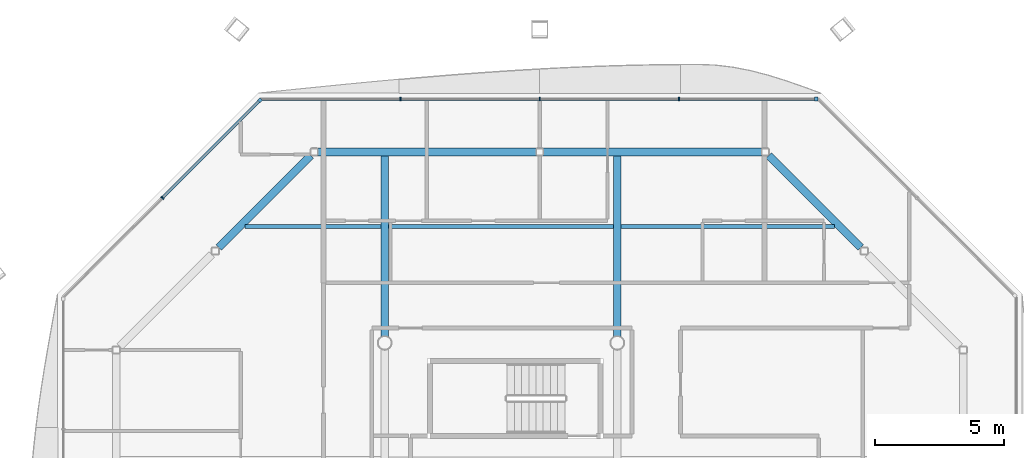
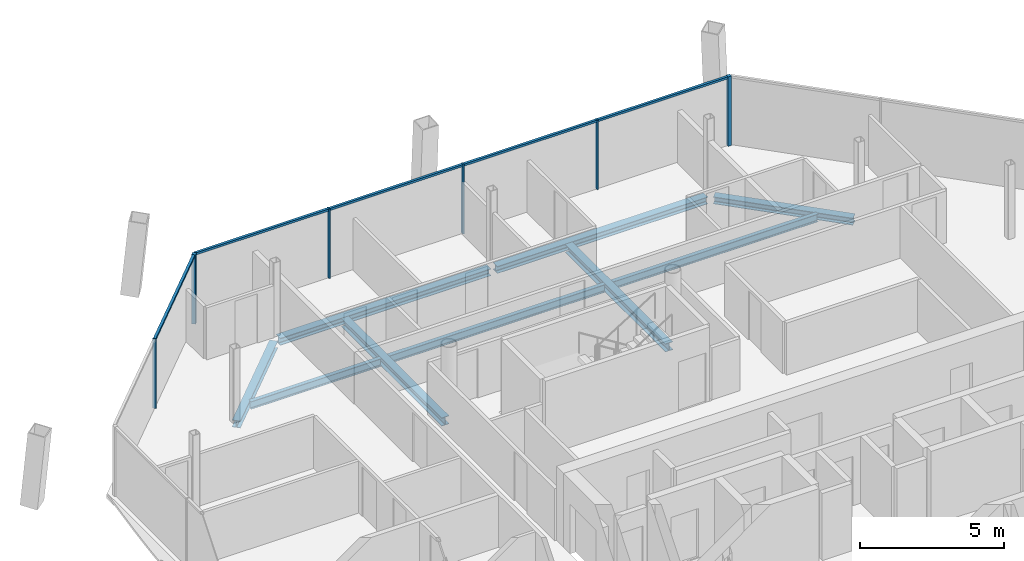
# One storey, part 9 of 17: 11 members, 9 beams, 2 elements without a shape of their own.
"""IFC4 building model written with IfcOpenShell, lengths in metres."""

from ifc_helpers import new_model, si_unit, direction, frame, origin, origin_2d, place, context, subcontext, project, spatial, rectangle, i_section, extrude, material, material_profile, profile_set, type_object, element, aggregate, save


model = new_model("IFC4")

# Units and contexts
model_context = context("Model", 3, precision=1e-05, world=origin(), true_north=direction((0.0, 1.0)))
body_context = subcontext(model_context, "Body", "Model", "MODEL_VIEW")
ifc_project = project(units=[si_unit("LENGTHUNIT", "METRE"), si_unit("AREAUNIT", "SQUARE_METRE"), si_unit("VOLUMEUNIT", "CUBIC_METRE"), si_unit("PLANEANGLEUNIT", "RADIAN"), si_unit("MASSUNIT", "GRAM", prefix="KILO")], contexts=[model_context])

# Site, building, storey
site_placement = place(None, origin())
site = spatial("IfcSite", under=ifc_project, at=site_placement, CompositionType="ELEMENT")
building_placement = place(site_placement, origin())
building = spatial("IfcBuilding", under=site, at=building_placement, Name="Tskaro Facet Tower", CompositionType="ELEMENT")
storey_placement = place(building_placement, frame((0.0, 0.0, 232.949951171875)))
storey = spatial("IfcBuildingStorey", under=building, at=storey_placement, Name="L60", CompositionType="ELEMENT", Elevation=232.949951171875)

# Curtain wall, member
ifc_material_1 = material(Name="Bronze anodised aluminium 6063-T6", Category="aluminium")
curtain_wall_type = type_object("IfcCurtainWallType", Name="Bronze residence curtain wall (FW3)", PredefinedType="NOTDEFINED", material=ifc_material_1)
curtain_wall_1_placement = place(storey_placement, origin())
curtain_wall_1 = element("IfcCurtainWall", 1, at=curtain_wall_1_placement, inside=storey, type_object=curtain_wall_type, Name="FW3 north facet L60", PredefinedType="NOTDEFINED")
ifc_material_profile_1 = material_profile(ifc_material_1, rectangle(XDim=0.139892578125, YDim=0.139892578125, at=origin_2d()), Name="Corner post 140x140")
ifc_profile_set_1 = profile_set([ifc_material_profile_1], Name="Bronze anodised aluminium 6063-T6")
member_type_1 = type_object("IfcMemberType", Name="FW3 bronze corner post 140x140", PredefinedType="MULLION", material=ifc_profile_set_1)
member_1_placement = place(storey_placement, frame((7.708984375, 18.43701171875, 0.0), z_axis=(0.0, 0.0, 1.0), x_axis=(-1.0, 0.0, 0.0)))
member_1 = element("IfcMember", 2, at=member_1_placement, type_object=member_type_1, Name="FW3 north corner post", PredefinedType="MULLION", context=body_context, shape_type="SweptSolid", body=[
    extrude(rectangle(XDim=0.139892578125, YDim=0.139892578125, at=origin_2d()), origin(), (0.0, 0.0, 1.0), 2.949951171875),
])

curtain_wall_2_placement = place(storey_placement, origin())
curtain_wall_2 = element("IfcCurtainWall", 3, at=curtain_wall_2_placement, inside=storey, type_object=curtain_wall_type, Name="FW3 north-west facet L60", PredefinedType="NOTDEFINED")
member_2_placement = place(storey_placement, frame((-13.82861328125, 18.387451171875, 0.0), z_axis=(0.0, 0.0, 1.0), x_axis=(-0.707106781187, -0.707106781187, 0.0)))
member_2 = element("IfcMember", 4, at=member_2_placement, type_object=member_type_1, Name="FW3 north-west corner post", PredefinedType="MULLION", context=body_context, shape_type="SweptSolid", body=[
    extrude(rectangle(XDim=0.139892578125, YDim=0.139892578125, at=origin_2d()), origin(), (0.0, 0.0, 1.0), 2.949951171875),
])

# Member
ifc_material_profile_2 = material_profile(ifc_material_1, rectangle(XDim=0.050048828125, YDim=0.139892578125, at=origin_2d()), Name="Mullion 50x140")
ifc_profile_set_2 = profile_set([ifc_material_profile_2], Name="Bronze anodised aluminium 6063-T6")
member_type_2 = type_object("IfcMemberType", Name="FW3 bronze mullion 50x140", PredefinedType="MULLION", material=ifc_profile_set_2)
member_3_placement = place(storey_placement, frame((2.389404296875, 18.43701171875, 0.0), z_axis=(0.0, 0.0, 1.0), x_axis=(-1.0, 0.0, 0.0)))
member_3 = element("IfcMember", 5, at=member_3_placement, type_object=member_type_2, Name="FW3 north mullion 1", PredefinedType="MULLION", context=body_context, shape_type="SweptSolid", body=[
    extrude(rectangle(XDim=0.050048828125, YDim=0.139892578125, at=origin_2d()), origin(), (0.0, 0.0, 1.0), 2.949951171875),
])

member_4_placement = place(storey_placement, frame((-3.0, 18.43701171875, 0.0), z_axis=(0.0, 0.0, 1.0), x_axis=(-1.0, 0.0, 0.0)))
member_4 = element("IfcMember", 6, at=member_4_placement, type_object=member_type_2, Name="FW3 north mullion 2", PredefinedType="MULLION", context=body_context, shape_type="SweptSolid", body=[
    extrude(rectangle(XDim=0.050048828125, YDim=0.139892578125, at=origin_2d()), origin(), (0.0, 0.0, 1.0), 2.949951171875),
])

member_5_placement = place(storey_placement, frame((-8.389404296875, 18.43701171875, 0.0), z_axis=(0.0, 0.0, 1.0), x_axis=(-1.0, 0.0, 0.0)))
member_5 = element("IfcMember", 7, at=member_5_placement, type_object=member_type_2, Name="FW3 north mullion 3", PredefinedType="MULLION", context=body_context, shape_type="SweptSolid", body=[
    extrude(rectangle(XDim=0.050048828125, YDim=0.139892578125, at=origin_2d()), origin(), (0.0, 0.0, 1.0), 2.949951171875),
])

member_6_placement = place(storey_placement, frame((-17.60791015625, 14.60791015625, 0.0), z_axis=(0.0, 0.0, 1.0), x_axis=(-0.707106781187, -0.707106781187, 0.0)))
member_6 = element("IfcMember", 8, at=member_6_placement, type_object=member_type_2, Name="FW3 north-west mullion 1", PredefinedType="MULLION", context=body_context, shape_type="SweptSolid", body=[
    extrude(rectangle(XDim=0.050048828125, YDim=0.139892578125, at=origin_2d()), origin(), (0.0, 0.0, 1.0), 2.949951171875),
])

ifc_material_profile_3 = material_profile(ifc_material_1, rectangle(XDim=0.10009765625, YDim=0.090087890625, at=origin_2d()), Name="Transom 100x90")
ifc_profile_set_3 = profile_set([ifc_material_profile_3], Name="Bronze anodised aluminium 6063-T6")
member_type_3 = type_object("IfcMemberType", Name="FW3 bronze transom 100x90", PredefinedType="USERDEFINED", material=ifc_profile_set_3)
member_7_placement = place(storey_placement, frame((7.638916015625, 18.43701171875, 2.905029296875), z_axis=(-1.0, 0.0, 0.0), x_axis=(0.0, -1.0, 0.0)))
member_7 = element("IfcMember", 9, at=member_7_placement, type_object=member_type_3, Name="FW3 north transom 1.1", ObjectType="TRANSOM", PredefinedType="USERDEFINED", context=body_context, shape_type="SweptSolid", body=[
    extrude(rectangle(XDim=0.10009765625, YDim=0.090087890625, at=origin_2d()), origin(), (0.0, 0.0, 1.0), 5.224365234375),
])

member_8_placement = place(storey_placement, frame((2.364501953125, 18.43701171875, 2.905029296875), z_axis=(-1.0, 0.0, 0.0), x_axis=(0.0, -1.0, 0.0)))
member_8 = element("IfcMember", 10, at=member_8_placement, type_object=member_type_3, Name="FW3 north transom 2.1", ObjectType="TRANSOM", PredefinedType="USERDEFINED", context=body_context, shape_type="SweptSolid", body=[
    extrude(rectangle(XDim=0.10009765625, YDim=0.090087890625, at=origin_2d()), origin(), (0.0, 0.0, 1.0), 5.339599609375),
])

member_9_placement = place(storey_placement, frame((-3.02490234375, 18.43701171875, 2.905029296875), z_axis=(-1.0, 0.0, 0.0), x_axis=(0.0, -1.0, 0.0)))
member_9 = element("IfcMember", 11, at=member_9_placement, type_object=member_type_3, Name="FW3 north transom 3.1", ObjectType="TRANSOM", PredefinedType="USERDEFINED", context=body_context, shape_type="SweptSolid", body=[
    extrude(rectangle(XDim=0.10009765625, YDim=0.090087890625, at=origin_2d()), origin(), (0.0, 0.0, 1.0), 5.339599609375),
])

member_10_placement = place(storey_placement, frame((-8.41455078125, 18.43701171875, 2.905029296875), z_axis=(-1.0, 0.0, 0.0), x_axis=(0.0, -1.0, 0.0)))
member_10 = element("IfcMember", 12, at=member_10_placement, type_object=member_type_3, Name="FW3 north transom 4.1", ObjectType="TRANSOM", PredefinedType="USERDEFINED", context=body_context, shape_type="SweptSolid", body=[
    extrude(rectangle(XDim=0.10009765625, YDim=0.090087890625, at=origin_2d()), origin(), (0.0, 0.0, 1.0), 5.364501953125),
])

aggregate(curtain_wall_1, [member_1, member_3, member_4, member_5, member_7, member_8, member_9, member_10])

member_11_placement = place(storey_placement, frame((-13.8779296875, 18.337890625, 2.905029296875), z_axis=(-0.707130032482, -0.707083529126, 0.0), x_axis=(0.707083529126, -0.707130032482, 0.0)))
member_11 = element("IfcMember", 13, at=member_11_placement, type_object=member_type_3, Name="FW3 north-west transom 1.1", ObjectType="TRANSOM", PredefinedType="USERDEFINED", context=body_context, shape_type="SweptSolid", body=[
    extrude(rectangle(XDim=0.10009765625, YDim=0.090087890625, at=origin_2d()), origin(), (0.0, 0.0, 1.0), 5.25),
])

aggregate(curtain_wall_2, [member_2, member_6, member_11])

# Beams
ifc_material_2 = material(Name="Steel S355J2", Category="steel")
ifc_material_profile_4 = material_profile(ifc_material_2, i_section(OverallWidth=0.300048828125, OverallDepth=0.300048828125, WebThickness=0.010986328125, FlangeThickness=0.01904296875, FilletRadius=0.027099609375, at=origin_2d()), Name="HE 300 B")
ifc_profile_set_4 = profile_set([ifc_material_profile_4], Name="Steel S355J2")
beam_type_1 = type_object("IfcBeamType", Name="HE 300 B ring beam", PredefinedType="BEAM", material=ifc_profile_set_4)
beam_1_placement = place(storey_placement, frame((9.422119140625, 12.69384765625, -0.2900390625), z_axis=(-0.707106781187, 0.707106781187, 0.0), x_axis=(-0.707106781187, -0.707106781187, 0.0)))
element("IfcBeam", 14, at=beam_1_placement, inside=storey, type_object=beam_type_1, Name="HE 300 B EB9-5", PredefinedType="BEAM", context=body_context, shape_type="SweptSolid", body=[
    extrude(i_section(OverallWidth=0.300048828125, OverallDepth=0.300048828125, WebThickness=0.010986328125, FlangeThickness=0.01904296875, FilletRadius=0.027099609375, at=origin_2d()), origin(), (0.0, 0.0, 1.0), 5.036376953125),
])
for number, where, z_axis, x_axis, name in (
    (15, (5.594970703125, 16.39111328125, -0.2900390625), (-1.0, 0.0, 0.0), (0.0, -1.0, 0.0), "HE 300 B EB10-5"),
    (16, (-3.1298828125, 16.39111328125, -0.2900390625), (-1.0, 0.0, 0.0), (0.0, -1.0, 0.0), "HE 300 B EB11-5"),
):
    element("IfcBeam", number, at=place(storey_placement, frame(where, z_axis=z_axis, x_axis=x_axis)), inside=storey, type_object=beam_type_1, Name=name, PredefinedType="BEAM", context=body_context, shape_type="SweptSolid", body=[
        extrude(i_section(OverallWidth=0.300048828125, OverallDepth=0.300048828125, WebThickness=0.010986328125, FlangeThickness=0.01904296875, FilletRadius=0.027099609375, at=origin_2d()), origin(), (0.0, 0.0, 1.0), 8.465087890625),
    ])
beam_2_placement = place(storey_placement, frame((-11.86083984375, 16.255126953125, -0.2900390625), z_axis=(-0.707106781187, -0.707106781187, 0.0), x_axis=(0.707106781187, -0.707106781187, 0.0)))
element("IfcBeam", 17, at=beam_2_placement, inside=storey, type_object=beam_type_1, Name="HE 300 B EB12-5", PredefinedType="BEAM", context=body_context, shape_type="SweptSolid", body=[
    extrude(i_section(OverallWidth=0.300048828125, OverallDepth=0.300048828125, WebThickness=0.010986328125, FlangeThickness=0.01904296875, FilletRadius=0.027099609375, at=origin_2d()), origin(), (0.0, 0.0, 1.0), 5.036376953125),
])
ifc_material_profile_5 = material_profile(ifc_material_2, i_section(OverallWidth=0.300048828125, OverallDepth=0.35009765625, WebThickness=0.010009765625, FlangeThickness=0.017578125, FilletRadius=0.027099609375, at=origin_2d()), Name="HE 360 A")
ifc_profile_set_5 = profile_set([ifc_material_profile_5], Name="Steel S355J2")
beam_type_2 = type_object("IfcBeamType", Name="HE 360 A girder", PredefinedType="BEAM", material=ifc_profile_set_5)
for number, where, z_axis, x_axis, name in (
    (18, (-9.0, 9.24951171875, -0.31494140625), (0.0, 1.0, 0.0), (-1.0, 0.0, 0.0), "HE 360 A GB3-3-5"),
    (19, (0.0, 9.24951171875, -0.31494140625), (0.0, 1.0, 0.0), (-1.0, 0.0, 0.0), "HE 360 A GB4-3-5"),
):
    element("IfcBeam", number, at=place(storey_placement, frame(where, z_axis=z_axis, x_axis=x_axis)), inside=storey, type_object=beam_type_2, Name=name, PredefinedType="BEAM", context=body_context, shape_type="SweptSolid", body=[
        extrude(i_section(OverallWidth=0.300048828125, OverallDepth=0.35009765625, WebThickness=0.010009765625, FlangeThickness=0.017578125, FilletRadius=0.027099609375, at=origin_2d()), origin(), (0.0, 0.0, 1.0), 6.991455078125),
    ])
ifc_material_profile_6 = material_profile(ifc_material_2, i_section(OverallWidth=0.159912109375, OverallDepth=0.330078125, WebThickness=0.007568359375, FlangeThickness=0.011474609375, FilletRadius=0.01806640625, at=origin_2d()), Name="IPE 330")
ifc_profile_set_6 = profile_set([ifc_material_profile_6], Name="Steel S355J2")
beam_type_3 = type_object("IfcBeamType", Name="IPE 330 secondary beam", PredefinedType="BEAM", material=ifc_profile_set_6)
beam_3_placement = place(storey_placement, frame((-14.404052734375, 13.5, -0.304931640625), z_axis=(1.0, 0.0, 0.0), x_axis=(0.0, 1.0, 0.0)))
element("IfcBeam", 20, at=beam_3_placement, inside=storey, type_object=beam_type_3, Name="IPE 330 SB5a-1-5", PredefinedType="BEAM", context=body_context, shape_type="SweptSolid", body=[
    extrude(i_section(OverallWidth=0.159912109375, OverallDepth=0.330078125, WebThickness=0.007568359375, FlangeThickness=0.011474609375, FilletRadius=0.01806640625, at=origin_2d()), origin(), (0.0, 0.0, 1.0), 5.254150390625),
])
beam_4_placement = place(storey_placement, frame((-8.85009765625, 13.5, -0.304931640625), z_axis=(1.0, 0.0, 0.0), x_axis=(0.0, 1.0, 0.0)))
element("IfcBeam", 21, at=beam_4_placement, inside=storey, type_object=beam_type_3, Name="IPE 330 SB5a-2-5", PredefinedType="BEAM", context=body_context, shape_type="SweptSolid", body=[
    extrude(i_section(OverallWidth=0.159912109375, OverallDepth=0.330078125, WebThickness=0.007568359375, FlangeThickness=0.011474609375, FilletRadius=0.01806640625, at=origin_2d()), origin(), (0.0, 0.0, 1.0), 8.7001953125),
])
beam_5_placement = place(storey_placement, frame((0.14990234375, 13.5, -0.304931640625), z_axis=(1.0, 0.0, 0.0), x_axis=(0.0, 1.0, 0.0)))
element("IfcBeam", 22, at=beam_5_placement, inside=storey, type_object=beam_type_3, Name="IPE 330 SB5a-3-5", PredefinedType="BEAM", context=body_context, shape_type="SweptSolid", body=[
    extrude(i_section(OverallWidth=0.159912109375, OverallDepth=0.330078125, WebThickness=0.007568359375, FlangeThickness=0.011474609375, FilletRadius=0.01806640625, at=origin_2d()), origin(), (0.0, 0.0, 1.0), 8.254150390625),
])

save(model, "model.ifc")
